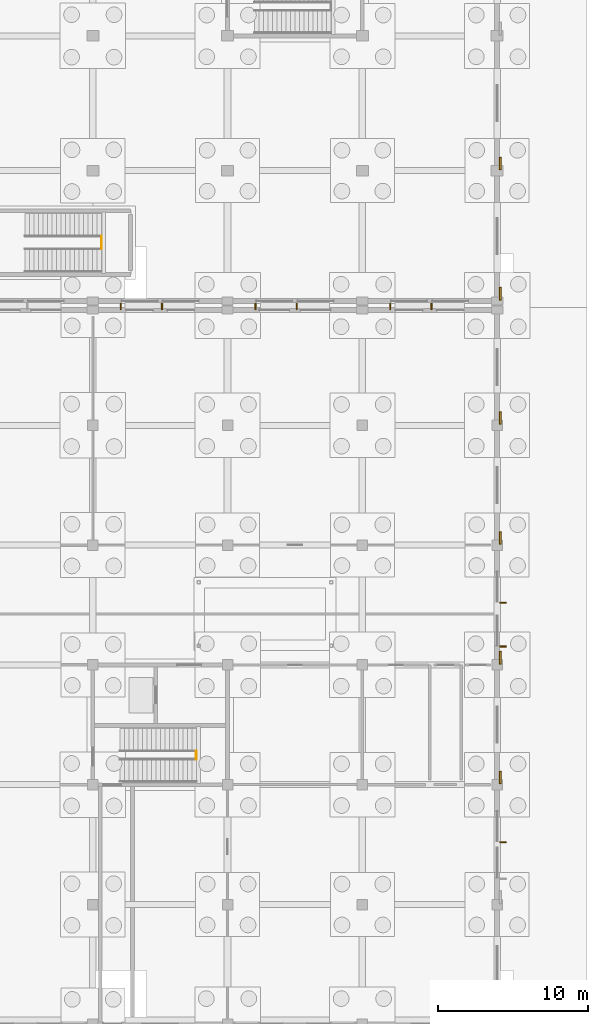
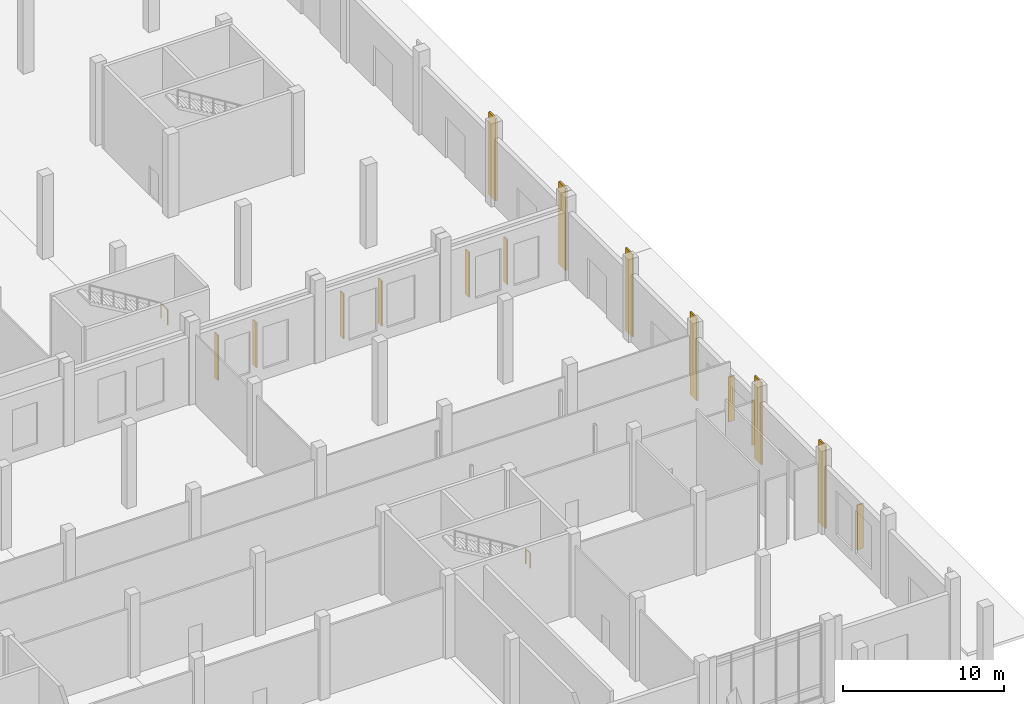
# One storey, part 92 of 99: 9 shading devices, 6 coverings, 2 railings.
"""IFC4 building model written with IfcOpenShell, lengths in metres."""

from ifc_helpers import new_model, si_unit, direction, frame, origin, origin_2d, place, context, subcontext, project, spatial, rectangle, circle, extrude, material, layer, layer_set, type_object, element, save


model = new_model("IFC4")

# Units and contexts
model_context = context("Model", 3, precision=1e-05, world=origin(), true_north=direction((0.0, 1.0)))
body_context = subcontext(model_context, "Body", "Model", "MODEL_VIEW")
ifc_project = project(units=[si_unit("LENGTHUNIT", "METRE"), si_unit("AREAUNIT", "SQUARE_METRE"), si_unit("VOLUMEUNIT", "CUBIC_METRE"), si_unit("PLANEANGLEUNIT", "RADIAN"), si_unit("MASSUNIT", "GRAM", prefix="KILO")], contexts=[model_context])

# Site, building, storey
site_placement = place(None, origin())
site = spatial("IfcSite", under=ifc_project, at=site_placement, CompositionType="ELEMENT")
building_placement = place(site_placement, origin())
building = spatial("IfcBuilding", under=site, at=building_placement, Name="Zacnel Wholesale Market", CompositionType="ELEMENT")
storey_placement = place(building_placement, origin())
storey = spatial("IfcBuildingStorey", under=building, at=storey_placement, Name="L01", CompositionType="ELEMENT", Elevation=0.0)

# Coverings
ifc_material_1 = material(Name="Honed Yucatan Maya cream limestone", Category="masonry")
ifc_layer = layer(ifc_material_1, 0.090087890625)
ifc_layer_set = layer_set([ifc_layer], Name="Honed Yucatan Maya cream limestone")
covering_type = type_object("IfcCoveringType", Name="COV-CLAD-FRET", PredefinedType="CLADDING", material=ifc_layer_set)
for number, where, z_axis, x_axis, name in (
    (1, (216.2099609375, 16.47998046875, 0.02001953125), (0.0, 0.0, 1.0), (0.0, 1.0, 0.0), "Fluted Mayan-Deco limestone pilaster L01-0058"),
    (2, (216.2099609375, 24.47998046875, 0.02001953125), (0.0, 0.0, 1.0), (0.0, 1.0, 0.0), "Fluted Mayan-Deco limestone pilaster L01-0059"),
    (3, (216.2099609375, 32.47998046875, 0.02001953125), (0.0, 0.0, 1.0), (0.0, 1.0, 0.0), "Fluted Mayan-Deco limestone pilaster L01-0060"),
    (4, (216.2099609375, 40.47998046875, 0.02001953125), (0.0, 0.0, 1.0), (0.0, 1.0, 0.0), "Fluted Mayan-Deco limestone pilaster L01-0061"),
    (5, (216.2099609375, 48.780029296875, 0.02001953125), (0.0, 0.0, 1.0), (0.0, 1.0, 0.0), "Fluted Mayan-Deco limestone pilaster L01-0079"),
    (6, (216.2099609375, 57.47998046875, 0.02001953125), (0.0, 0.0, 1.0), (0.0, 1.0, 0.0), "Fluted Mayan-Deco limestone pilaster L01-0080"),
):
    element("IfcCovering", number, at=place(storey_placement, frame(where, z_axis=z_axis, x_axis=x_axis)), inside=storey, type_object=covering_type, Name=name, PredefinedType="CLADDING", context=body_context, shape_type="SweptSolid", body=[
        extrude(rectangle(XDim=0.85009765625, YDim=0.1201171875, at=origin_2d()), origin(), (0.0, 0.0, 1.0), 6.260009765625),
    ])

# Railings
ifc_material_2 = material(Name="Galvanized steel", Category="steel")
railing_type = type_object("IfcRailingType", Name="RAL-STAIR-GD1150", PredefinedType="BALUSTRADE", material=ifc_material_2)
railing_1_placement = place(storey_placement, frame((195.909912109375, 17.699951171875, 3.14990234375)))
element("IfcRailing", 7, at=railing_1_placement, inside=storey, type_object=railing_type, Name="Stair balustrade INT-STAIR-ST-04-GDIN-2", PredefinedType="BALUSTRADE", context=body_context, shape_type="SweptSolid", body=[
    extrude(circle(Radius=0.02392578125, at=origin_2d()), frame((0.0, 0.0, 1.1259765625), z_axis=(0.0, 1.0, 0.0), x_axis=(-1.0, 0.0, 0.0)), (0.0, 0.0, 1.0), 0.550048828125),
    extrude(circle(Radius=0.02099609375, at=origin_2d()), origin(), (0.0, 0.0, 1.0), 1.101806640625),
    extrude(circle(Radius=0.02099609375, at=origin_2d()), frame((0.0, 0.550048828125, 0.0)), (0.0, 0.0, 1.0), 1.101806640625),
])
railing_2_placement = place(storey_placement, frame((189.580078125, 51.77001953125, 3.14990234375)))
element("IfcRailing", 8, at=railing_2_placement, inside=storey, type_object=railing_type, Name="Stair balustrade INT-STAIR-ST-22-GDIN-2", PredefinedType="BALUSTRADE", context=body_context, shape_type="SweptSolid", body=[
    extrude(circle(Radius=0.02392578125, at=origin_2d()), frame((0.0, 0.0, 1.1259765625), z_axis=(0.0, 1.0, 0.0), x_axis=(-1.0, 0.0, 0.0)), (0.0, 0.0, 1.0), 0.85986328125),
    extrude(circle(Radius=0.02099609375, at=origin_2d()), origin(), (0.0, 0.0, 1.0), 1.101806640625),
    extrude(circle(Radius=0.02099609375, at=origin_2d()), frame((0.0, 0.85986328125, 0.0)), (0.0, 0.0, 1.0), 1.101806640625),
])

# Shading devices
ifc_material_3 = material(Name="Honed Yucatan Maya cream limestone", Category="masonry")
shading_device_type = type_object("IfcShadingDeviceType", Name="SHD-FIN-V450", PredefinedType="USERDEFINED", material=ifc_material_3)
for number, where, z_axis, x_axis, name in (
    (9, (216.3798828125, 12.156982421875, 0.800048828125), (0.0, 0.0, 1.0), (0.0, 1.0, 0.0), "Limestone sunshade fin 0068"),
    (10, (216.3798828125, 25.22705078125, 0.800048828125), (0.0, 0.0, 1.0), (0.0, 1.0, 0.0), "Limestone sunshade fin 0069"),
    (11, (216.3798828125, 28.156982421875, 0.800048828125), (0.0, 0.0, 1.0), (0.0, 1.0, 0.0), "Limestone sunshade fin 0070"),
    (12, (190.864990234375, 47.919921875, 0.949951171875), (0.0, 0.0, 1.0), (1.0, 0.0, 0.0), "Limestone sunshade fin 0107"),
    (13, (193.614990234375, 47.919921875, 0.949951171875), (0.0, 0.0, 1.0), (1.0, 0.0, 0.0), "Limestone sunshade fin 0108"),
    (14, (199.864990234375, 47.919921875, 0.949951171875), (0.0, 0.0, 1.0), (1.0, 0.0, 0.0), "Limestone sunshade fin 0109"),
    (15, (202.614990234375, 47.919921875, 0.949951171875), (0.0, 0.0, 1.0), (1.0, 0.0, 0.0), "Limestone sunshade fin 0110"),
    (16, (208.864990234375, 47.919921875, 0.949951171875), (0.0, 0.0, 1.0), (1.0, 0.0, 0.0), "Limestone sunshade fin 0111"),
    (17, (211.614990234375, 47.919921875, 0.949951171875), (0.0, 0.0, 1.0), (1.0, 0.0, 0.0), "Limestone sunshade fin 0112"),
):
    element("IfcShadingDevice", number, at=place(storey_placement, frame(where, z_axis=z_axis, x_axis=x_axis)), inside=storey, type_object=shading_device_type, Name=name, ObjectType="SUNSHADE", PredefinedType="USERDEFINED", context=body_context, shape_type="SweptSolid", body=[
        extrude(rectangle(XDim=0.080078125, YDim=0.43994140625, at=origin_2d()), origin(), (0.0, 0.0, 1.0), 3.39990234375),
    ])

save(model, "model.ifc")
